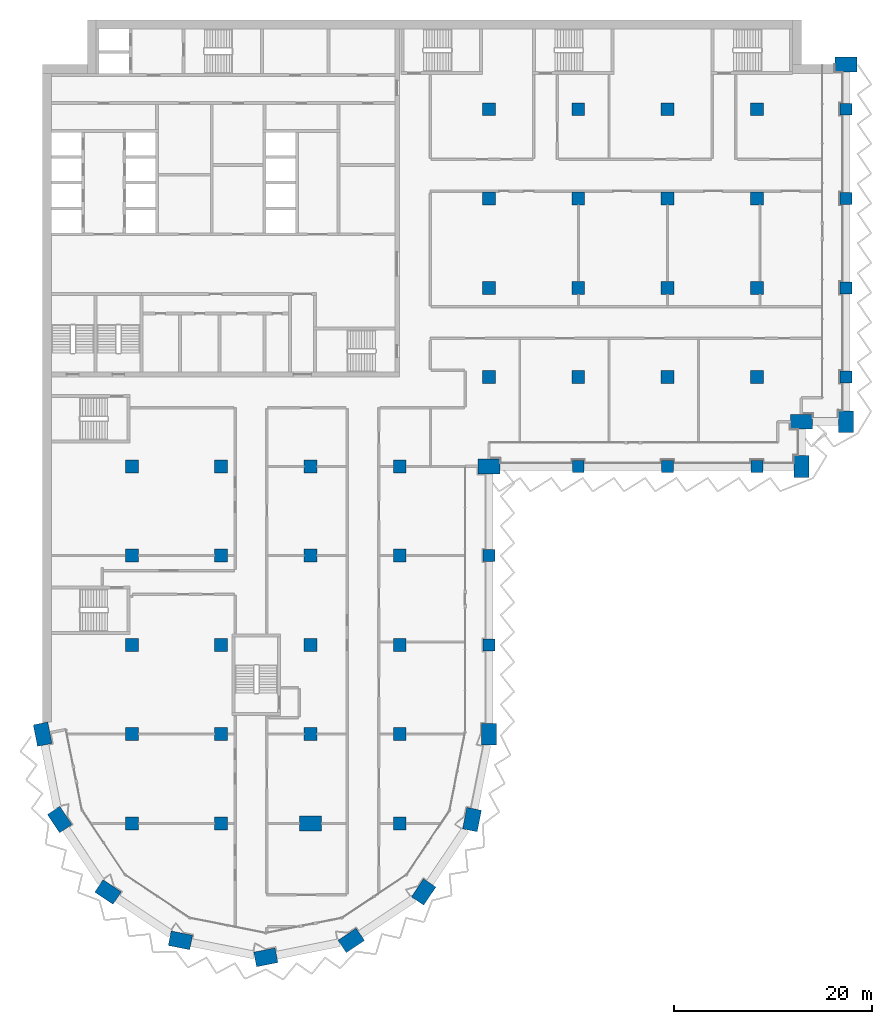
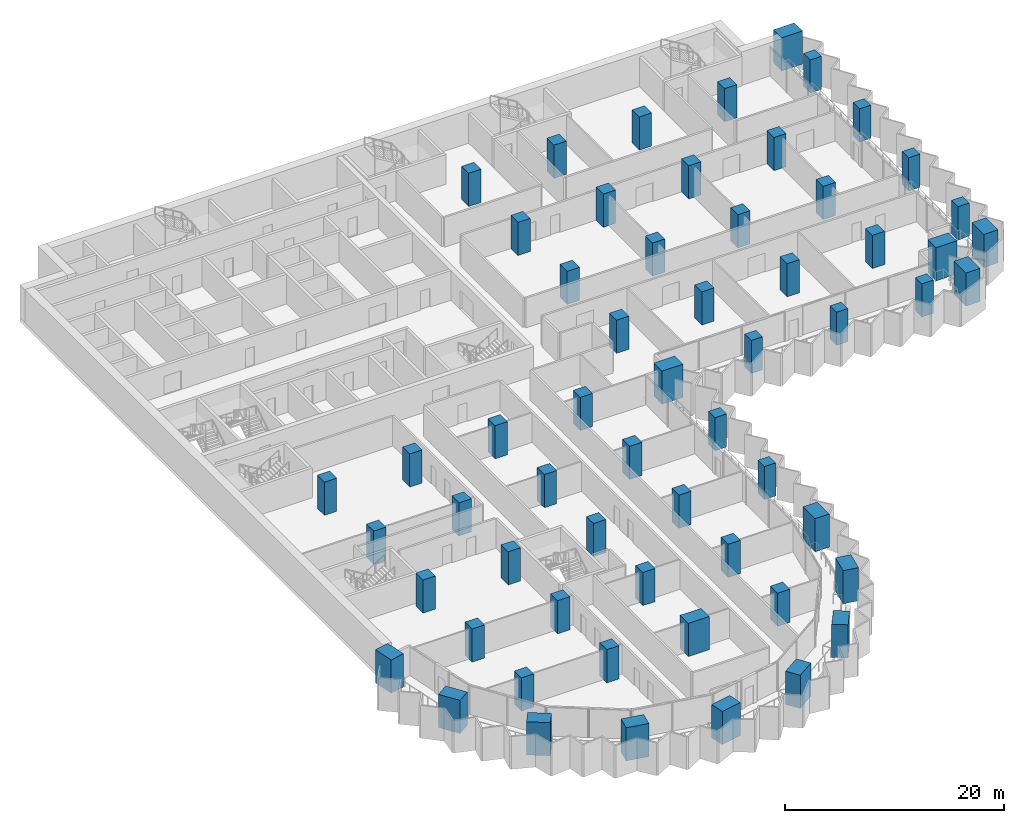
# One storey, part 1 of 22: 59 columns.
"""IFC4 building model written with IfcOpenShell, lengths in metres."""

from ifc_helpers import new_model, si_unit, direction, frame, origin, origin_2d, place, context, subcontext, project, spatial, rectangle, extrude, material, material_profile, profile_set, type_object, element, save


model = new_model("IFC4")

# Units and contexts
model_context = context("Model", 3, precision=1e-05, world=origin(), true_north=direction((0.0, 1.0)))
body_context = subcontext(model_context, "Body", "Model", "MODEL_VIEW")
ifc_project = project(units=[si_unit("LENGTHUNIT", "METRE"), si_unit("AREAUNIT", "SQUARE_METRE"), si_unit("VOLUMEUNIT", "CUBIC_METRE"), si_unit("PLANEANGLEUNIT", "RADIAN"), si_unit("MASSUNIT", "GRAM", prefix="KILO")], contexts=[model_context])

# Site, building, storey
site_placement = place(None, origin())
site = spatial("IfcSite", under=ifc_project, at=site_placement, CompositionType="ELEMENT")
building_placement = place(site_placement, origin())
building = spatial("IfcBuilding", under=site, at=building_placement, Name="Hunhe Ridgeline Campus", CompositionType="ELEMENT")
storey_placement = place(building_placement, frame((0.0, 0.0, 92.199951171875)))
storey = spatial("IfcBuildingStorey", under=building, at=storey_placement, Name="L22", CompositionType="ELEMENT", Elevation=92.199951171875)

# Columns
ifc_material = material(Name="Concrete C70", Category="concrete")
ifc_material_profile_1 = material_profile(ifc_material, rectangle(XDim=2.199951171875, YDim=1.5, at=origin_2d()))
ifc_profile_set_1 = profile_set([ifc_material_profile_1], Name="Concrete C70")
column_type_1 = type_object("IfcColumnType", Name="Megacolumn 2200x1500 Concrete C70", PredefinedType="COLUMN", material=ifc_profile_set_1)
for number, where, z_axis, x_axis, name in (
    (1, (22.5, 4.5, 0.0), (0.0, 0.0, 1.0), (0.980785280403, 0.195090322016, 0.0), "Column C6 R1 L22"),
    (2, (13.8896484375, 6.212646484375, 0.0), (0.0, 0.0, 1.0), (-0.980785280403, 0.195090322016, 0.0), "Column C6 R2 L22"),
    (3, (31.1103515625, 6.212646484375, 0.0), (0.0, 0.0, 1.0), (0.831469612303, 0.55557023302, 0.0), "Column C6 R3 L22"),
    (4, (6.590087890625, 11.090087890625, 0.0), (0.0, 0.0, 1.0), (-0.831469612303, 0.55557023302, 0.0), "Column C6 R4 L22"),
    (5, (38.409912109375, 11.090087890625, 0.0), (0.0, 0.0, 1.0), (0.55557023302, 0.831469612303, 0.0), "Column C6 R5 L22"),
    (6, (1.712646484375, 18.3896484375, 0.0), (0.0, 0.0, 1.0), (-0.55557023302, 0.831469612303, 0.0), "Column C6 R9 L22"),
    (7, (43.287353515625, 18.3896484375, 0.0), (0.0, 0.0, 1.0), (0.195090322016, 0.980785280403, 0.0), "Column C6 R10 L22"),
    (8, (0.0, 27.0, 0.0), (0.0, 0.0, 1.0), (-0.195090322016, 0.980785280403, 0.0), "Column C6 D1 L22"),
    (9, (45.0, 27.0, 0.0), (0.0, 0.0, 1.0), (0.0, 1.0, 0.0), "Column C6 D6 L22"),
    (10, (45.0, 54.0, 0.0), (0.0, 0.0, 1.0), (1.0, 0.0, 0.0), "Column C6 G6 L22"),
    (11, (76.5, 54.0, 0.0), (0.0, 0.0, 1.0), (0.0, 1.0, 0.0), "Column C6 R31 L22"),
    (12, (76.5, 58.5, 0.0), (0.0, 0.0, 1.0), (1.0, 0.0, 0.0), "Column C6 R37 L22"),
    (13, (81.0, 58.5, 0.0), (0.0, 0.0, 1.0), (0.0, 1.0, 0.0), "Column C6 R38 L22"),
    (14, (81.0, 94.5, 0.0), (0.0, 0.0, 1.0), (1.0, 0.0, 0.0), "Column C6 R43 L22"),
    (15, (27.0, 18.0, 0.0), (0.0, 0.0, 1.0), (1.0, 0.0, 0.0), "Column C6 C4 L22"),
):
    element("IfcColumn", number, at=place(storey_placement, frame(where, z_axis=z_axis, x_axis=x_axis)), inside=storey, type_object=column_type_1, Name=name, PredefinedType="COLUMN", context=body_context, shape_type="SweptSolid", body=[
        extrude(rectangle(XDim=2.199951171875, YDim=1.5, at=origin_2d()), origin(), (0.0, 0.0, 1.0), 3.699951171875),
    ])
ifc_material_profile_2 = material_profile(ifc_material, rectangle(XDim=1.199951171875, YDim=1.199951171875, at=origin_2d()))
ifc_profile_set_2 = profile_set([ifc_material_profile_2], Name="Concrete C70")
column_type_2 = type_object("IfcColumnType", Name="RC column 1200x1200 Concrete C70", PredefinedType="COLUMN", material=ifc_profile_set_2)
for number, where, z_axis, x_axis, name in (
    (16, (45.0, 36.0, 0.0), (0.0, 0.0, 1.0), (1.0, 0.0, 0.0), "Column C7 E6 L22"),
    (17, (45.0, 45.0, 0.0), (0.0, 0.0, 1.0), (1.0, 0.0, 0.0), "Column C7 F6 L22"),
    (18, (54.0, 54.0, 0.0), (0.0, 0.0, 1.0), (1.0, 0.0, 0.0), "Column C7 G7 L22"),
    (19, (63.0, 54.0, 0.0), (0.0, 0.0, 1.0), (1.0, 0.0, 0.0), "Column C7 G8 L22"),
    (20, (72.0, 54.0, 0.0), (0.0, 0.0, 1.0), (1.0, 0.0, 0.0), "Column C7 G9 L22"),
    (21, (81.0, 63.0, 0.0), (0.0, 0.0, 1.0), (1.0, 0.0, 0.0), "Column C7 H10 L22"),
    (22, (81.0, 72.0, 0.0), (0.0, 0.0, 1.0), (1.0, 0.0, 0.0), "Column C7 I10 L22"),
    (23, (81.0, 81.0, 0.0), (0.0, 0.0, 1.0), (1.0, 0.0, 0.0), "Column C7 J10 L22"),
    (24, (81.0, 90.0, 0.0), (0.0, 0.0, 1.0), (1.0, 0.0, 0.0), "Column C7 K10 L22"),
):
    element("IfcColumn", number, at=place(storey_placement, frame(where, z_axis=z_axis, x_axis=x_axis)), inside=storey, type_object=column_type_2, Name=name, PredefinedType="COLUMN", context=body_context, shape_type="SweptSolid", body=[
        extrude(rectangle(XDim=1.199951171875, YDim=1.199951171875, at=origin_2d()), origin(), (0.0, 0.0, 1.0), 3.699951171875),
    ])
ifc_material_profile_3 = material_profile(ifc_material, rectangle(XDim=1.300048828125, YDim=1.300048828125, at=origin_2d()))
ifc_profile_set_3 = profile_set([ifc_material_profile_3], Name="Concrete C70")
column_type_3 = type_object("IfcColumnType", Name="RC column 1300x1300 Concrete C70", PredefinedType="COLUMN", material=ifc_profile_set_3)
for number, where, z_axis, x_axis, name in (
    (25, (9.0, 18.0, 0.0), (0.0, 0.0, 1.0), (1.0, 0.0, 0.0), "Column C8 C2 L22"),
    (26, (9.0, 27.0, 0.0), (0.0, 0.0, 1.0), (1.0, 0.0, 0.0), "Column C8 D2 L22"),
    (27, (9.0, 36.0, 0.0), (0.0, 0.0, 1.0), (1.0, 0.0, 0.0), "Column C8 E2 L22"),
    (28, (9.0, 45.0, 0.0), (0.0, 0.0, 1.0), (1.0, 0.0, 0.0), "Column C8 F2 L22"),
    (29, (9.0, 54.0, 0.0), (0.0, 0.0, 1.0), (1.0, 0.0, 0.0), "Column C8 G2 L22"),
    (30, (18.0, 18.0, 0.0), (0.0, 0.0, 1.0), (1.0, 0.0, 0.0), "Column C8 C3 L22"),
    (31, (18.0, 27.0, 0.0), (0.0, 0.0, 1.0), (1.0, 0.0, 0.0), "Column C8 D3 L22"),
    (32, (18.0, 36.0, 0.0), (0.0, 0.0, 1.0), (1.0, 0.0, 0.0), "Column C8 E3 L22"),
    (33, (18.0, 45.0, 0.0), (0.0, 0.0, 1.0), (1.0, 0.0, 0.0), "Column C8 F3 L22"),
    (34, (18.0, 54.0, 0.0), (0.0, 0.0, 1.0), (1.0, 0.0, 0.0), "Column C8 G3 L22"),
    (35, (27.0, 27.0, 0.0), (0.0, 0.0, 1.0), (1.0, 0.0, 0.0), "Column C8 D4 L22"),
    (36, (27.0, 36.0, 0.0), (0.0, 0.0, 1.0), (1.0, 0.0, 0.0), "Column C8 E4 L22"),
    (37, (27.0, 45.0, 0.0), (0.0, 0.0, 1.0), (1.0, 0.0, 0.0), "Column C8 F4 L22"),
    (38, (27.0, 54.0, 0.0), (0.0, 0.0, 1.0), (1.0, 0.0, 0.0), "Column C8 G4 L22"),
    (39, (36.0, 18.0, 0.0), (0.0, 0.0, 1.0), (1.0, 0.0, 0.0), "Column C8 C5 L22"),
    (40, (36.0, 27.0, 0.0), (0.0, 0.0, 1.0), (1.0, 0.0, 0.0), "Column C8 D5 L22"),
    (41, (36.0, 36.0, 0.0), (0.0, 0.0, 1.0), (1.0, 0.0, 0.0), "Column C8 E5 L22"),
    (42, (36.0, 45.0, 0.0), (0.0, 0.0, 1.0), (1.0, 0.0, 0.0), "Column C8 F5 L22"),
    (43, (36.0, 54.0, 0.0), (0.0, 0.0, 1.0), (1.0, 0.0, 0.0), "Column C8 G5 L22"),
    (44, (45.0, 63.0, 0.0), (0.0, 0.0, 1.0), (1.0, 0.0, 0.0), "Column C8 H6 L22"),
    (45, (45.0, 72.0, 0.0), (0.0, 0.0, 1.0), (1.0, 0.0, 0.0), "Column C8 I6 L22"),
    (46, (45.0, 81.0, 0.0), (0.0, 0.0, 1.0), (1.0, 0.0, 0.0), "Column C8 J6 L22"),
    (47, (45.0, 90.0, 0.0), (0.0, 0.0, 1.0), (1.0, 0.0, 0.0), "Column C8 K6 L22"),
    (48, (54.0, 63.0, 0.0), (0.0, 0.0, 1.0), (1.0, 0.0, 0.0), "Column C8 H7 L22"),
    (49, (54.0, 72.0, 0.0), (0.0, 0.0, 1.0), (1.0, 0.0, 0.0), "Column C8 I7 L22"),
    (50, (54.0, 81.0, 0.0), (0.0, 0.0, 1.0), (1.0, 0.0, 0.0), "Column C8 J7 L22"),
    (51, (54.0, 90.0, 0.0), (0.0, 0.0, 1.0), (1.0, 0.0, 0.0), "Column C8 K7 L22"),
    (52, (63.0, 63.0, 0.0), (0.0, 0.0, 1.0), (1.0, 0.0, 0.0), "Column C8 H8 L22"),
    (53, (63.0, 72.0, 0.0), (0.0, 0.0, 1.0), (1.0, 0.0, 0.0), "Column C8 I8 L22"),
    (54, (63.0, 81.0, 0.0), (0.0, 0.0, 1.0), (1.0, 0.0, 0.0), "Column C8 J8 L22"),
    (55, (63.0, 90.0, 0.0), (0.0, 0.0, 1.0), (1.0, 0.0, 0.0), "Column C8 K8 L22"),
    (56, (72.0, 63.0, 0.0), (0.0, 0.0, 1.0), (1.0, 0.0, 0.0), "Column C8 H9 L22"),
    (57, (72.0, 72.0, 0.0), (0.0, 0.0, 1.0), (1.0, 0.0, 0.0), "Column C8 I9 L22"),
    (58, (72.0, 81.0, 0.0), (0.0, 0.0, 1.0), (1.0, 0.0, 0.0), "Column C8 J9 L22"),
    (59, (72.0, 90.0, 0.0), (0.0, 0.0, 1.0), (1.0, 0.0, 0.0), "Column C8 K9 L22"),
):
    element("IfcColumn", number, at=place(storey_placement, frame(where, z_axis=z_axis, x_axis=x_axis)), inside=storey, type_object=column_type_3, Name=name, PredefinedType="COLUMN", context=body_context, shape_type="SweptSolid", body=[
        extrude(rectangle(XDim=1.300048828125, YDim=1.300048828125, at=origin_2d()), origin(), (0.0, 0.0, 1.0), 3.699951171875),
    ])

save(model, "model.ifc")
